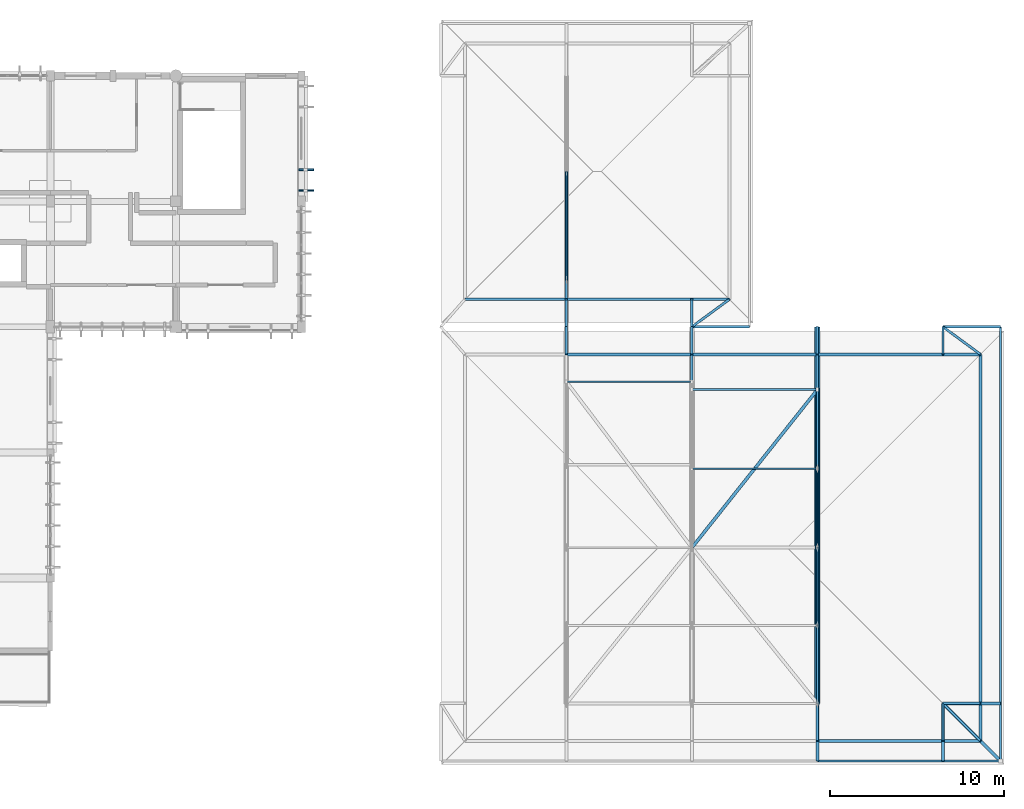
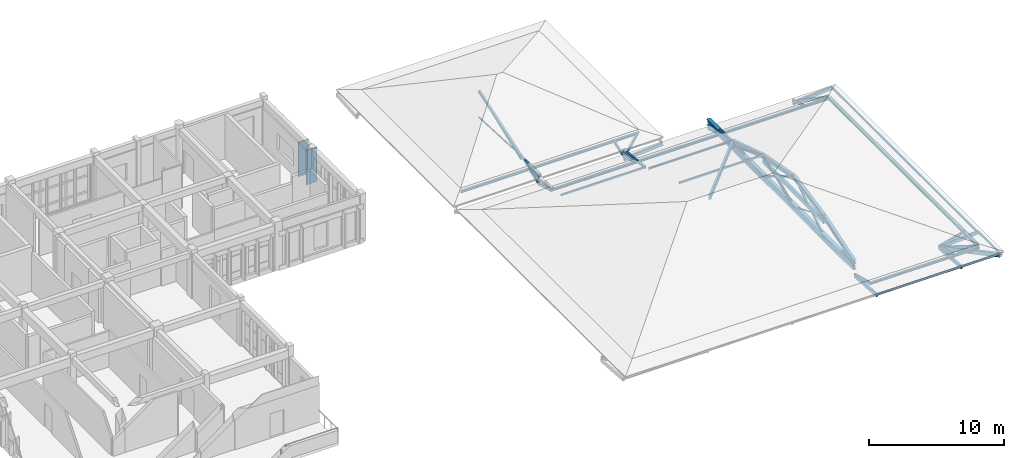
# One storey, part 8 of 19: 58 members, 1 beam.
"""IFC4 building model written with IfcOpenShell, lengths in metres."""

from ifc_helpers import new_model, si_unit, direction, frame, origin, origin_2d, place, context, subcontext, project, spatial, rectangle, hollow_rectangle, hollow_circle, i_section, extrude, material, material_profile, profile_set, type_object, element, save


model = new_model("IFC4")

# Units and contexts
model_context = context("Model", 3, precision=1e-05, world=origin(), true_north=direction((0.0, 1.0)))
body_context = subcontext(model_context, "Body", "Model", "MODEL_VIEW")
ifc_project = project(units=[si_unit("LENGTHUNIT", "METRE"), si_unit("AREAUNIT", "SQUARE_METRE"), si_unit("VOLUMEUNIT", "CUBIC_METRE"), si_unit("PLANEANGLEUNIT", "RADIAN"), si_unit("MASSUNIT", "GRAM", prefix="KILO")], contexts=[model_context])

# Site, building, storey
site_placement = place(None, origin())
site = spatial("IfcSite", under=ifc_project, at=site_placement, CompositionType="ELEMENT")
building_placement = place(site_placement, origin())
building = spatial("IfcBuilding", under=site, at=building_placement, Name="Steenspoor Specialist Clinic", CompositionType="ELEMENT")
storey_placement = place(building_placement, frame((0.0, 0.0, 21.60009765625)))
storey = spatial("IfcBuildingStorey", under=building, at=storey_placement, Name="L05", CompositionType="ELEMENT", Elevation=21.60009765625)

# Beam
ifc_material_1 = material(Name="Steel A992 Grade 50", Category="steel")
ifc_material_profile_1 = material_profile(ifc_material_1, i_section(OverallWidth=0.31201171875, OverallDepth=0.54296875, WebThickness=0.0126953125, FlangeThickness=0.020263671875, at=origin_2d()), Name="W530X150")
ifc_profile_set_1 = profile_set([ifc_material_profile_1], Name="Steel A992 Grade 50")
beam_type = type_object("IfcBeamType", Name="BM-ST-W530X150", PredefinedType="BEAM", material=ifc_profile_set_1)
beam_placement = place(storey_placement, frame((139.60009765625, 72.35009765625, 0.29150390625), z_axis=(0.0, 1.0, 0.0), x_axis=(-1.0, 0.0, 0.0)))
element("IfcBeam", 1, at=beam_placement, inside=storey, type_object=beam_type, Name="ROOF TRUSS Bottom Tie Chord V6 4", PredefinedType="BEAM", context=body_context, shape_type="SweptSolid", body=[
    extrude(i_section(OverallWidth=0.31201171875, OverallDepth=0.54296875, WebThickness=0.0126953125, FlangeThickness=0.020263671875, at=origin_2d()), origin(), (0.0, 0.0, 1.0), 21.599853515625),
])

# Members
ifc_material_2 = material(Name="Steel A500 Grade C", Category="steel")
ifc_material_profile_2 = material_profile(ifc_material_2, hollow_circle(Radius=0.084228515625, WallThickness=0.007080078125, at=origin_2d()), Name="CHS168X7.1")
ifc_profile_set_2 = profile_set([ifc_material_profile_2], Name="Steel A500 Grade C")
member_type_1 = type_object("IfcMemberType", Name="MEM-BRACE-CHS168", PredefinedType="BRACE", material=ifc_profile_set_2)
member_1_placement = place(storey_placement, frame((139.60009765625, 81.284912109375, 3.0068359375), z_axis=(0.0, 0.857839286243, -0.513918046948), x_axis=(-1.0, 0.0, 0.0)))
element("IfcMember", 2, at=member_1_placement, inside=storey, type_object=member_type_1, Name="ROOF TRUSS Web Brace V6 4.3", PredefinedType="BRACE", context=body_context, shape_type="SweptSolid", body=[
    extrude(hollow_circle(Radius=0.084228515625, WallThickness=0.007080078125, at=origin_2d()), origin(), (0.0, 0.0, 1.0), 5.28369140625),
])
ifc_material_profile_3 = material_profile(ifc_material_2, hollow_rectangle(XDim=0.126953125, YDim=0.126953125, WallThickness=0.0087890625, at=origin_2d()), Name="HSS127X127X9.5")
ifc_profile_set_3 = profile_set([ifc_material_profile_3], Name="Steel A500 Grade C")
member_type_2 = type_object("IfcMemberType", Name="MEM-BRACE-H127A", PredefinedType="BRACE", material=ifc_profile_set_3)
member_2_placement = place(storey_placement, frame((139.60009765625, 72.35009765625, 0.29150390625), z_axis=(0.0, 0.924864314732, 0.380297251287), x_axis=(-1.0, 0.0, 0.0)))
element("IfcMember", 3, at=member_2_placement, inside=storey, type_object=member_type_2, Name="ROOF TRUSS Web Brace V6 4.1", PredefinedType="BRACE", context=body_context, shape_type="SweptSolid", body=[
    extrude(hollow_rectangle(XDim=0.126953125, YDim=0.126953125, WallThickness=0.0087890625, at=origin_2d()), origin(), (0.0, 0.0, 1.0), 4.830322265625),
])
ifc_material_profile_4 = material_profile(ifc_material_2, hollow_rectangle(XDim=0.126953125, YDim=0.126953125, WallThickness=0.005859375, at=origin_2d()), Name="HSS127X127X6.4")
ifc_profile_set_4 = profile_set([ifc_material_profile_4], Name="Steel A500 Grade C")
member_type_3 = type_object("IfcMemberType", Name="MEM-BRACE-H127B", PredefinedType="BRACE", material=ifc_profile_set_4)
member_3_placement = place(storey_placement, frame((139.60009765625, 76.8173828125, 0.29150390625), z_axis=(0.0, 0.854541042558, 0.519383872087), x_axis=(-1.0, 0.0, 0.0)))
element("IfcMember", 4, at=member_3_placement, inside=storey, type_object=member_type_3, Name="ROOF TRUSS Web Brace V6 4.2", PredefinedType="BRACE", context=body_context, shape_type="SweptSolid", body=[
    extrude(hollow_rectangle(XDim=0.126953125, YDim=0.126953125, WallThickness=0.005859375, at=origin_2d()), origin(), (0.0, 0.0, 1.0), 5.22802734375),
])
member_4_placement = place(storey_placement, frame((125.199951171875, 96.64990234375, 0.2998046875), z_axis=(0.0, 0.934083151496, 0.357055550427), x_axis=(-1.0, 0.0, 0.0)))
element("IfcMember", 5, at=member_4_placement, inside=storey, type_object=member_type_3, Name="ROOF TRUSS Web Brace V6N 2.1", PredefinedType="BRACE", context=body_context, shape_type="SweptSolid", body=[
    extrude(hollow_rectangle(XDim=0.126953125, YDim=0.126953125, WallThickness=0.005859375, at=origin_2d()), origin(), (0.0, 0.0, 1.0), 6.653564453125),
])
ifc_material_profile_5 = material_profile(ifc_material_2, hollow_rectangle(XDim=0.15234375, YDim=0.15234375, WallThickness=0.0087890625, at=origin_2d()), Name="HSS152X152X9.5")
ifc_profile_set_5 = profile_set([ifc_material_profile_5], Name="Steel A500 Grade C")
member_type_4 = type_object("IfcMemberType", Name="MEM-BRACE-H152", PredefinedType="BRACE", material=ifc_profile_set_5)
member_5_placement = place(storey_placement, frame((139.60009765625, 85.8173828125, 2.107421875), z_axis=(0.0, 0.928276561313, -0.371890609881), x_axis=(-1.0, 0.0, 0.0)))
element("IfcMember", 6, at=member_5_placement, inside=storey, type_object=member_type_4, Name="ROOF TRUSS Web Brace V6 4.4", PredefinedType="BRACE", context=body_context, shape_type="SweptSolid", body=[
    extrude(hollow_rectangle(XDim=0.15234375, YDim=0.15234375, WallThickness=0.0087890625, at=origin_2d()), origin(), (0.0, 0.0, 1.0), 4.883056640625),
])
ifc_material_profile_6 = material_profile(ifc_material_2, hollow_rectangle(XDim=0.177734375, YDim=0.177734375, WallThickness=0.0087890625, at=origin_2d()), Name="HSS178X178X9.5")
ifc_profile_set_6 = profile_set([ifc_material_profile_6], Name="Steel A500 Grade C")
member_type_5 = type_object("IfcMemberType", Name="MEM-CHORD-H178", PredefinedType="CHORD", material=ifc_profile_set_6)
member_6_placement = place(storey_placement, frame((125.199951171875, 96.64990234375, 0.58447265625), z_axis=(0.0, 0.947793472176, 0.318884828895), x_axis=(-1.0, 0.0, 0.0)))
element("IfcMember", 7, at=member_6_placement, inside=storey, type_object=member_type_5, Name="ROOF TRUSS Top Chord V6N 2.1", PredefinedType="CHORD", context=body_context, shape_type="SweptSolid", body=[
    extrude(hollow_rectangle(XDim=0.177734375, YDim=0.177734375, WallThickness=0.0087890625, at=origin_2d()), origin(), (0.0, 0.0, 1.0), 6.557373046875),
])
ifc_material_profile_7 = material_profile(ifc_material_1, i_section(OverallWidth=0.257080078125, OverallDepth=0.363037109375, WebThickness=0.012939453125, FlangeThickness=0.021728515625, at=origin_2d()), Name="W360X122")
ifc_profile_set_7 = profile_set([ifc_material_profile_7], Name="Steel A992 Grade 50")
member_type_6 = type_object("IfcMemberType", Name="MEM-CHORD-W360", PredefinedType="CHORD", material=ifc_profile_set_7)
member_7_placement = place(storey_placement, frame((139.60009765625, 72.35009765625, 0.6923828125), z_axis=(0.0, 0.952020982248, 0.306032758639), x_axis=(-1.0, 0.0, 0.0)))
element("IfcMember", 8, at=member_7_placement, inside=storey, type_object=member_type_6, Name="ROOF TRUSS Top Chord V6 4.1", PredefinedType="CHORD", context=body_context, shape_type="SweptSolid", body=[
    extrude(i_section(OverallWidth=0.257080078125, OverallDepth=0.363037109375, WebThickness=0.012939453125, FlangeThickness=0.021728515625, at=origin_2d()), origin(), (0.0, 0.0, 1.0), 4.6923828125),
])
member_8_placement = place(storey_placement, frame((139.60009765625, 76.8173828125, 2.12841796875), z_axis=(0.0, 0.981212765108, 0.192928768176), x_axis=(-1.0, 0.0, 0.0)))
element("IfcMember", 9, at=member_8_placement, inside=storey, type_object=member_type_6, Name="ROOF TRUSS Top Chord V6 4.2", PredefinedType="CHORD", context=body_context, shape_type="SweptSolid", body=[
    extrude(i_section(OverallWidth=0.257080078125, OverallDepth=0.363037109375, WebThickness=0.012939453125, FlangeThickness=0.021728515625, at=origin_2d()), origin(), (0.0, 0.0, 1.0), 4.552978515625),
])
member_9_placement = place(storey_placement, frame((139.60009765625, 81.284912109375, 3.0068359375), z_axis=(0.0, 0.980874223394, -0.194642641475), x_axis=(-1.0, 0.0, 0.0)))
element("IfcMember", 10, at=member_9_placement, inside=storey, type_object=member_type_6, Name="ROOF TRUSS Top Chord V6 4.3", PredefinedType="CHORD", context=body_context, shape_type="SweptSolid", body=[
    extrude(i_section(OverallWidth=0.257080078125, OverallDepth=0.363037109375, WebThickness=0.012939453125, FlangeThickness=0.021728515625, at=origin_2d()), origin(), (0.0, 0.0, 1.0), 4.620849609375),
])
member_10_placement = place(storey_placement, frame((139.60009765625, 85.8173828125, 2.107421875), z_axis=(0.0, 0.95202322588, -0.306025778954), x_axis=(-1.0, 0.0, 0.0)))
element("IfcMember", 11, at=member_10_placement, inside=storey, type_object=member_type_6, Name="ROOF TRUSS Top Chord V6 4.4", PredefinedType="CHORD", context=body_context, shape_type="SweptSolid", body=[
    extrude(i_section(OverallWidth=0.257080078125, OverallDepth=0.363037109375, WebThickness=0.012939453125, FlangeThickness=0.021728515625, at=origin_2d()), origin(), (0.0, 0.0, 1.0), 4.76123046875),
])
ifc_material_profile_8 = material_profile(ifc_material_2, hollow_rectangle(XDim=0.1015625, YDim=0.15234375, WallThickness=0.005859375, at=origin_2d()), Name="HSS152X102X6.4")
ifc_profile_set_8 = profile_set([ifc_material_profile_8], Name="Steel A500 Grade C")
member_type_7 = type_object("IfcMemberType", Name="MEM-PURLIN-H152", PredefinedType="PURLIN", material=ifc_profile_set_8)
member_11_placement = place(storey_placement, frame((139.60009765625, 69.050048828125, -0.195068359375), z_axis=(1.0, 0.0, 0.0), x_axis=(0.0, 1.0, 0.0)))
element("IfcMember", 12, at=member_11_placement, inside=storey, type_object=member_type_7, Name="ROOF TRUSS Eave Fascia 519", PredefinedType="PURLIN", context=body_context, shape_type="SweptSolid", body=[
    extrude(hollow_rectangle(XDim=0.1015625, YDim=0.15234375, WallThickness=0.005859375, at=origin_2d()), origin(), (0.0, 0.0, 1.0), 7.199951171875),
])
for number, where, z_axis, x_axis, name in (
    (13, (146.800048828125, 69.050048828125, -0.195068359375), (1.0, 0.0, 0.0), (0.0, 1.0, 0.0), "ROOF TRUSS Eave Fascia 520"),
    (14, (150.10009765625, 69.050048828125, -0.195068359375), (0.0, 1.0, 0.0), (-1.0, 0.0, 0.0), "ROOF TRUSS Eave Fascia 521"),
):
    element("IfcMember", number, at=place(storey_placement, frame(where, z_axis=z_axis, x_axis=x_axis)), inside=storey, type_object=member_type_7, Name=name, PredefinedType="PURLIN", context=body_context, shape_type="SweptSolid", body=[
        extrude(hollow_rectangle(XDim=0.1015625, YDim=0.15234375, WallThickness=0.005859375, at=origin_2d()), origin(), (0.0, 0.0, 1.0), 3.300048828125),
    ])
member_12_placement = place(storey_placement, frame((150.10009765625, 72.35009765625, -0.293212890625), z_axis=(0.0, 1.0, 0.0), x_axis=(-1.0, 0.0, 0.0)))
element("IfcMember", 15, at=member_12_placement, inside=storey, type_object=member_type_7, Name="ROOF TRUSS Eave Fascia 522", PredefinedType="PURLIN", context=body_context, shape_type="SweptSolid", body=[
    extrude(hollow_rectangle(XDim=0.1015625, YDim=0.15234375, WallThickness=0.005859375, at=origin_2d()), origin(), (0.0, 0.0, 1.0), 21.599853515625),
])
member_13_placement = place(storey_placement, frame((125.199951171875, 90.800048828125, 0.602294921875), z_axis=(1.0, 0.0, 0.0), x_axis=(0.0, 1.0, 0.0)))
element("IfcMember", 16, at=member_13_placement, inside=storey, type_object=member_type_7, Name="ROOF TRUSS Purlin 541", PredefinedType="PURLIN", context=body_context, shape_type="SweptSolid", body=[
    extrude(hollow_rectangle(XDim=0.1015625, YDim=0.15234375, WallThickness=0.005859375, at=origin_2d()), origin(), (0.0, 0.0, 1.0), 7.199951171875),
])
member_14_placement = place(storey_placement, frame((132.39990234375, 85.8173828125, 2.2041015625), z_axis=(1.0, 0.0, 0.0), x_axis=(0.0, 1.0, 0.0)))
element("IfcMember", 17, at=member_14_placement, inside=storey, type_object=member_type_7, Name="ROOF TRUSS Purlin 545", PredefinedType="PURLIN", context=body_context, shape_type="SweptSolid", body=[
    extrude(hollow_rectangle(XDim=0.1015625, YDim=0.15234375, WallThickness=0.005859375, at=origin_2d()), origin(), (0.0, 0.0, 1.0), 7.2001953125),
])
ifc_material_profile_9 = material_profile(ifc_material_1, i_section(OverallWidth=0.10205078125, OverallDepth=0.159912109375, WebThickness=0.006591796875, FlangeThickness=0.01025390625, at=origin_2d()), Name="W150X24")
ifc_profile_set_9 = profile_set([ifc_material_profile_9], Name="Steel A992 Grade 50")
member_type_8 = type_object("IfcMemberType", Name="MEM-PURLIN-W150", PredefinedType="PURLIN", material=ifc_profile_set_9)
member_15_placement = place(storey_placement, frame((132.39990234375, 90.35009765625, 0.743408203125), z_axis=(1.0, 0.0, 0.0), x_axis=(0.0, 1.0, 0.0)))
element("IfcMember", 18, at=member_15_placement, inside=storey, type_object=member_type_8, Name="ROOF TRUSS Purlin 546", PredefinedType="PURLIN", context=body_context, shape_type="SweptSolid", body=[
    extrude(i_section(OverallWidth=0.10205078125, OverallDepth=0.159912109375, WebThickness=0.006591796875, FlangeThickness=0.01025390625, at=origin_2d()), origin(), (0.0, 0.0, 1.0), 7.2001953125),
])
ifc_material_profile_10 = material_profile(ifc_material_1, i_section(OverallWidth=0.1650390625, OverallDepth=0.200927734375, WebThickness=0.006103515625, FlangeThickness=0.01025390625, at=origin_2d()), Name="W200X36")
ifc_profile_set_10 = profile_set([ifc_material_profile_10], Name="Steel A992 Grade 50")
member_type_9 = type_object("IfcMemberType", Name="MEM-PURLIN-W200", PredefinedType="PURLIN", material=ifc_profile_set_10)
member_16_placement = place(storey_placement, frame((125.199951171875, 92.3701171875, 0.075439453125), z_axis=(1.0, 0.0, 0.0), x_axis=(0.0, 1.0, 0.0)))
element("IfcMember", 19, at=member_16_placement, inside=storey, type_object=member_type_9, Name="ROOF TRUSS Knuckle Purlin 526", PredefinedType="PURLIN", context=body_context, shape_type="SweptSolid", body=[
    extrude(i_section(OverallWidth=0.1650390625, OverallDepth=0.200927734375, WebThickness=0.006103515625, FlangeThickness=0.01025390625, at=origin_2d()), origin(), (0.0, 0.0, 1.0), 7.199951171875),
])
member_17_placement = place(storey_placement, frame((132.39990234375, 92.3701171875, 0.075439453125), z_axis=(1.0, 0.0, 0.0), x_axis=(0.0, 1.0, 0.0)))
element("IfcMember", 20, at=member_17_placement, inside=storey, type_object=member_type_9, Name="ROOF TRUSS Knuckle Purlin 528", PredefinedType="PURLIN", context=body_context, shape_type="SweptSolid", body=[
    extrude(i_section(OverallWidth=0.1650390625, OverallDepth=0.200927734375, WebThickness=0.006103515625, FlangeThickness=0.01025390625, at=origin_2d()), origin(), (0.0, 0.0, 1.0), 7.2001953125),
])
for number, where, z_axis, x_axis, name in (
    (21, (139.60009765625, 70.199951171875, 0.075439453125), (1.0, 0.0, 0.0), (0.0, 1.0, 0.0), "ROOF TRUSS Knuckle Purlin 529"),
    (22, (139.60009765625, 92.3701171875, 0.075439453125), (1.0, 0.0, 0.0), (0.0, 1.0, 0.0), "ROOF TRUSS Knuckle Purlin 530"),
):
    element("IfcMember", number, at=place(storey_placement, frame(where, z_axis=z_axis, x_axis=x_axis)), inside=storey, type_object=member_type_9, Name=name, PredefinedType="PURLIN", context=body_context, shape_type="SweptSolid", body=[
        extrude(i_section(OverallWidth=0.1650390625, OverallDepth=0.200927734375, WebThickness=0.006103515625, FlangeThickness=0.01025390625, at=origin_2d()), origin(), (0.0, 0.0, 1.0), 7.199951171875),
    ])
for number, where, z_axis, x_axis, name in (
    (23, (146.800048828125, 70.199951171875, 0.075439453125), (1.0, 0.0, 0.0), (0.0, 1.0, 0.0), "ROOF TRUSS Knuckle Purlin 531"),
    (24, (146.800048828125, 92.3701171875, 0.075439453125), (1.0, 0.0, 0.0), (0.0, 1.0, 0.0), "ROOF TRUSS Knuckle Purlin 532"),
):
    element("IfcMember", number, at=place(storey_placement, frame(where, z_axis=z_axis, x_axis=x_axis)), inside=storey, type_object=member_type_9, Name=name, PredefinedType="PURLIN", context=body_context, shape_type="SweptSolid", body=[
        extrude(i_section(OverallWidth=0.1650390625, OverallDepth=0.200927734375, WebThickness=0.006103515625, FlangeThickness=0.01025390625, at=origin_2d()), origin(), (0.0, 0.0, 1.0), 2.14990234375),
    ])
member_18_placement = place(storey_placement, frame((148.949951171875, 70.199951171875, 0.075439453125), z_axis=(0.0, 1.0, 0.0), x_axis=(-1.0, 0.0, 0.0)))
element("IfcMember", 25, at=member_18_placement, inside=storey, type_object=member_type_9, Name="ROOF TRUSS Knuckle Purlin 535", PredefinedType="PURLIN", context=body_context, shape_type="SweptSolid", body=[
    extrude(i_section(OverallWidth=0.1650390625, OverallDepth=0.200927734375, WebThickness=0.006103515625, FlangeThickness=0.01025390625, at=origin_2d()), origin(), (0.0, 0.0, 1.0), 2.150146484375),
])
member_19_placement = place(storey_placement, frame((148.949951171875, 72.35009765625, 0.075439453125), z_axis=(0.0, 1.0, 0.0), x_axis=(-1.0, 0.0, 0.0)))
element("IfcMember", 26, at=member_19_placement, inside=storey, type_object=member_type_9, Name="ROOF TRUSS Knuckle Purlin 536", PredefinedType="PURLIN", context=body_context, shape_type="SweptSolid", body=[
    extrude(i_section(OverallWidth=0.1650390625, OverallDepth=0.200927734375, WebThickness=0.006103515625, FlangeThickness=0.01025390625, at=origin_2d()), origin(), (0.0, 0.0, 1.0), 20.02001953125),
])
member_20_placement = place(storey_placement, frame((119.3798828125, 95.530029296875, 0.06884765625), z_axis=(1.0, 0.0, 0.0), x_axis=(0.0, 1.0, 0.0)))
element("IfcMember", 27, at=member_20_placement, inside=storey, type_object=member_type_9, Name="ROOF TRUSS Knuckle Purlin 556", PredefinedType="PURLIN", context=body_context, shape_type="SweptSolid", body=[
    extrude(i_section(OverallWidth=0.1650390625, OverallDepth=0.200927734375, WebThickness=0.006103515625, FlangeThickness=0.01025390625, at=origin_2d()), origin(), (0.0, 0.0, 1.0), 5.820068359375),
])
member_21_placement = place(storey_placement, frame((125.199951171875, 95.530029296875, 0.06884765625), z_axis=(1.0, 0.0, 0.0), x_axis=(0.0, 1.0, 0.0)))
element("IfcMember", 28, at=member_21_placement, inside=storey, type_object=member_type_9, Name="ROOF TRUSS Knuckle Purlin 558", PredefinedType="PURLIN", context=body_context, shape_type="SweptSolid", body=[
    extrude(i_section(OverallWidth=0.1650390625, OverallDepth=0.200927734375, WebThickness=0.006103515625, FlangeThickness=0.01025390625, at=origin_2d()), origin(), (0.0, 0.0, 1.0), 7.199951171875),
])
member_22_placement = place(storey_placement, frame((132.39990234375, 95.530029296875, 0.06884765625), z_axis=(1.0, 0.0, 0.0), x_axis=(0.0, 1.0, 0.0)))
element("IfcMember", 29, at=member_22_placement, inside=storey, type_object=member_type_9, Name="ROOF TRUSS Knuckle Purlin 560", PredefinedType="PURLIN", context=body_context, shape_type="SweptSolid", body=[
    extrude(i_section(OverallWidth=0.1650390625, OverallDepth=0.200927734375, WebThickness=0.006103515625, FlangeThickness=0.01025390625, at=origin_2d()), origin(), (0.0, 0.0, 1.0), 2.150146484375),
])
ifc_material_3 = material(Name="Glulam GL28h", Category="wood")
ifc_material_profile_11 = material_profile(ifc_material_3, rectangle(XDim=0.139892578125, YDim=0.219970703125, at=origin_2d()), Name="GL28H-140X220")
ifc_profile_set_11 = profile_set([ifc_material_profile_11], Name="Glulam GL28h")
member_type_10 = type_object("IfcMemberType", Name="MEM-RAFTER-GL220", PredefinedType="RAFTER", material=ifc_profile_set_11)
for number, where, z_axis, x_axis, name in (
    (30, (125.199951171875, 93.949951171875, -0.32470703125), (0.0, -0.95317886964, 0.302407080725), (1.0, 0.0, 0.0), "ROOF TRUSS Knuckle Rafter V6 354"),
    (31, (132.39990234375, 93.949951171875, -0.32470703125), (0.0, -0.95317886964, 0.302407080725), (1.0, 0.0, 0.0), "ROOF TRUSS Knuckle Rafter V6 357"),
):
    element("IfcMember", number, at=place(storey_placement, frame(where, z_axis=z_axis, x_axis=x_axis)), inside=storey, type_object=member_type_10, Name=name, PredefinedType="RAFTER", context=body_context, shape_type="SweptSolid", body=[
        extrude(rectangle(XDim=0.139892578125, YDim=0.219970703125, at=origin_2d()), origin(), (0.0, 0.0, 1.0), 1.657470703125),
    ])
member_23_placement = place(storey_placement, frame((139.60009765625, 72.35009765625, -0.397705078125), z_axis=(0.0, -0.966140194325, 0.258017683326), x_axis=(1.0, 0.0, 0.0)))
element("IfcMember", 32, at=member_23_placement, inside=storey, type_object=member_type_10, Name="ROOF TRUSS Knuckle Rafter V6 359", PredefinedType="RAFTER", context=body_context, shape_type="SweptSolid", body=[
    extrude(rectangle(XDim=0.139892578125, YDim=0.219970703125, at=origin_2d()), origin(), (0.0, 0.0, 1.0), 2.2255859375),
])
member_24_placement = place(storey_placement, frame((139.60009765625, 93.949951171875, -0.32470703125), z_axis=(0.0, -0.95317886964, 0.302407080725), x_axis=(1.0, 0.0, 0.0)))
element("IfcMember", 33, at=member_24_placement, inside=storey, type_object=member_type_10, Name="ROOF TRUSS Knuckle Rafter V6 360", PredefinedType="RAFTER", context=body_context, shape_type="SweptSolid", body=[
    extrude(rectangle(XDim=0.139892578125, YDim=0.219970703125, at=origin_2d()), origin(), (0.0, 0.0, 1.0), 1.657470703125),
])
member_25_placement = place(storey_placement, frame((146.800048828125, 72.35009765625, -0.397705078125), z_axis=(0.0, -0.966140194325, 0.258017683326), x_axis=(1.0, 0.0, 0.0)))
element("IfcMember", 34, at=member_25_placement, inside=storey, type_object=member_type_10, Name="ROOF TRUSS Knuckle Rafter V6 362", PredefinedType="RAFTER", context=body_context, shape_type="SweptSolid", body=[
    extrude(rectangle(XDim=0.139892578125, YDim=0.219970703125, at=origin_2d()), origin(), (0.0, 0.0, 1.0), 2.2255859375),
])
member_26_placement = place(storey_placement, frame((146.800048828125, 93.949951171875, -0.32470703125), z_axis=(0.0, -0.95317886964, 0.302407080725), x_axis=(1.0, 0.0, 0.0)))
element("IfcMember", 35, at=member_26_placement, inside=storey, type_object=member_type_10, Name="ROOF TRUSS Knuckle Rafter V6 363", PredefinedType="RAFTER", context=body_context, shape_type="SweptSolid", body=[
    extrude(rectangle(XDim=0.139892578125, YDim=0.219970703125, at=origin_2d()), origin(), (0.0, 0.0, 1.0), 1.657470703125),
])
member_27_placement = place(storey_placement, frame((146.800048828125, 72.35009765625, -0.397705078125), z_axis=(0.966132889999, 0.0, 0.258045032623), x_axis=(0.0, 1.0, 0.0)))
element("IfcMember", 36, at=member_27_placement, inside=storey, type_object=member_type_10, Name="ROOF TRUSS Knuckle Rafter V6 366", PredefinedType="RAFTER", context=body_context, shape_type="SweptSolid", body=[
    extrude(rectangle(XDim=0.139892578125, YDim=0.219970703125, at=origin_2d()), origin(), (0.0, 0.0, 1.0), 2.225341796875),
])
member_28_placement = place(storey_placement, frame((146.800048828125, 72.35009765625, -0.5), z_axis=(0.690189561111, -0.690267938304, 0.217183201662), x_axis=(0.707146926915, 0.707066633179, 0.0)))
element("IfcMember", 37, at=member_28_placement, inside=storey, type_object=member_type_10, Name="ROOF TRUSS Corner Knuckle Rafter V6 371", PredefinedType="RAFTER", context=body_context, shape_type="SweptSolid", body=[
    extrude(rectangle(XDim=0.139892578125, YDim=0.219970703125, at=origin_2d()), origin(), (0.0, 0.0, 1.0), 3.114990234375),
])
member_29_placement = place(storey_placement, frame((146.800048828125, 93.949951171875, -0.458251953125), z_axis=(0.783942698699, -0.576072360127, 0.231461618966), x_axis=(0.592152841193, 0.805825671387, 0.0)))
element("IfcMember", 38, at=member_29_placement, inside=storey, type_object=member_type_10, Name="ROOF TRUSS Corner Knuckle Rafter V6 372", PredefinedType="RAFTER", context=body_context, shape_type="SweptSolid", body=[
    extrude(rectangle(XDim=0.139892578125, YDim=0.219970703125, at=origin_2d()), origin(), (0.0, 0.0, 1.0), 2.742431640625),
])
member_30_placement = place(storey_placement, frame((132.39990234375, 93.949951171875, 0.173828125), z_axis=(0.0, -0.991717017913, 0.128442035106), x_axis=(1.0, 0.0, 0.0)))
element("IfcMember", 39, at=member_30_placement, inside=storey, type_object=member_type_10, Name="ROOF TRUSS Heel Strut V6 N 3", PredefinedType="RAFTER", context=body_context, shape_type="SweptSolid", body=[
    extrude(rectangle(XDim=0.139892578125, YDim=0.219970703125, at=origin_2d()), origin(), (0.0, 0.0, 1.0), 3.17626953125),
])
member_31_placement = place(storey_placement, frame((139.60009765625, 93.949951171875, 0.29150390625), z_axis=(0.0, -0.995067212383, 0.099203038467), x_axis=(1.0, 0.0, 0.0)))
element("IfcMember", 40, at=member_31_placement, inside=storey, type_object=member_type_10, Name="ROOF TRUSS Heel Strut V6 N 4", PredefinedType="RAFTER", context=body_context, shape_type="SweptSolid", body=[
    extrude(rectangle(XDim=0.139892578125, YDim=0.219970703125, at=origin_2d()), origin(), (0.0, 0.0, 1.0), 3.61767578125),
])
for number, where, z_axis, x_axis, name in (
    (41, (125.199951171875, 93.949951171875, -0.331298828125), (0.0, 0.952040804809, 0.305971086836), (-1.0, 0.0, 0.0), "ROOF TRUSS Knuckle Rafter V6N 374"),
    (42, (132.39990234375, 93.949951171875, -0.331298828125), (0.0, 0.952040804809, 0.305971086836), (-1.0, 0.0, 0.0), "ROOF TRUSS Knuckle Rafter V6N 377"),
):
    element("IfcMember", number, at=place(storey_placement, frame(where, z_axis=z_axis, x_axis=x_axis)), inside=storey, type_object=member_type_10, Name=name, PredefinedType="RAFTER", context=body_context, shape_type="SweptSolid", body=[
        extrude(rectangle(XDim=0.139892578125, YDim=0.219970703125, at=origin_2d()), origin(), (0.0, 0.0, 1.0), 1.65966796875),
    ])
member_32_placement = place(storey_placement, frame((132.39990234375, 93.949951171875, -0.46484375), z_axis=(0.783498873152, 0.575769808906, 0.233706317676), x_axis=(-0.592168595313, 0.805814094395, 0.0)))
element("IfcMember", 43, at=member_32_placement, inside=storey, type_object=member_type_10, Name="ROOF TRUSS Corner Knuckle Rafter V6N 386", PredefinedType="RAFTER", context=body_context, shape_type="SweptSolid", body=[
    extrude(rectangle(XDim=0.139892578125, YDim=0.219970703125, at=origin_2d()), origin(), (0.0, 0.0, 1.0), 2.744384765625),
])
member_33_placement = place(storey_placement, frame((125.199951171875, 93.949951171875, 0.2998046875), z_axis=(0.0, 0.994487699887, 0.104853301209), x_axis=(-1.0, 0.0, 0.0)))
element("IfcMember", 44, at=member_33_placement, inside=storey, type_object=member_type_10, Name="ROOF TRUSS Heel Strut V6N S 2", PredefinedType="RAFTER", context=body_context, shape_type="SweptSolid", body=[
    extrude(rectangle(XDim=0.139892578125, YDim=0.219970703125, at=origin_2d()), origin(), (0.0, 0.0, 1.0), 2.71484375),
])
ifc_material_profile_12 = material_profile(ifc_material_3, rectangle(XDim=0.159912109375, YDim=0.280029296875, at=origin_2d()), Name="GL28H-160X280")
ifc_profile_set_12 = profile_set([ifc_material_profile_12], Name="Glulam GL28h")
member_type_11 = type_object("IfcMemberType", Name="MEM-RAFTER-GL280", PredefinedType="RAFTER", material=ifc_profile_set_12)
for number, where, z_axis, x_axis, name in (
    (45, (139.60009765625, 72.35009765625, -0.5), (0.0, -0.997518653982, 0.070402663009), (1.0, 0.0, 0.0), "ROOF TRUSS Flared Eave Glulam Outrigger V6 358"),
    (46, (146.800048828125, 72.35009765625, -0.5), (0.0, -0.997518653982, 0.070402663009), (1.0, 0.0, 0.0), "ROOF TRUSS Flared Eave Glulam Outrigger V6 361"),
    (47, (146.800048828125, 72.35009765625, -0.5), (0.997518653982, 0.0, 0.070402663009), (0.0, 1.0, 0.0), "ROOF TRUSS Flared Eave Glulam Outrigger V6 365"),
    (48, (146.800048828125, 93.949951171875, -0.590087890625), (0.997513468668, 0.0, 0.070476093999), (0.0, 1.0, 0.0), "ROOF TRUSS Flared Eave Glulam Outrigger V6 367"),
    (49, (132.39990234375, 93.949951171875, -0.590087890625), (0.997513468668, 0.0, 0.070476093999), (0.0, 1.0, 0.0), "ROOF TRUSS Flared Eave Glulam Outrigger V6N 381"),
):
    element("IfcMember", number, at=place(storey_placement, frame(where, z_axis=z_axis, x_axis=x_axis)), inside=storey, type_object=member_type_11, Name=name, PredefinedType="RAFTER", context=body_context, shape_type="SweptSolid", body=[
        extrude(rectangle(XDim=0.159912109375, YDim=0.280029296875, at=origin_2d()), origin(), (0.0, 0.0, 1.0), 3.308349609375),
    ])
ifc_material_profile_13 = material_profile(ifc_material_3, rectangle(XDim=0.179931640625, YDim=0.360107421875, at=origin_2d()), Name="GL28H-180X360")
ifc_profile_set_13 = profile_set([ifc_material_profile_13], Name="Glulam GL28h")
member_type_12 = type_object("IfcMemberType", Name="MEM-RAFTER-GL360", PredefinedType="RAFTER", material=ifc_profile_set_13)
member_34_placement = place(storey_placement, frame((146.800048828125, 72.35009765625, -0.5), z_axis=(0.706511318105, -0.706511318105, 0.041030656559), x_axis=(0.707106781187, 0.707106781187, 0.0)))
element("IfcMember", 50, at=member_34_placement, inside=storey, type_object=member_type_12, Name="ROOF TRUSS Corner Hip Outrigger V6 370", PredefinedType="RAFTER", context=body_context, shape_type="SweptSolid", body=[
    extrude(rectangle(XDim=0.179931640625, YDim=0.360107421875, at=origin_2d()), origin(), (0.0, 0.0, 1.0), 4.6708984375),
])
member_35_placement = place(storey_placement, frame((139.60009765625, 76.8173828125, 1.648681640625), z_axis=(0.0, 1.0, 0.0), x_axis=(-1.0, 0.0, 0.0)))
element("IfcMember", 51, at=member_35_placement, inside=storey, type_object=member_type_12, Name="ROOF TRUSS Glulam Collar Rafter V6 4", PredefinedType="RAFTER", context=body_context, shape_type="SweptSolid", body=[
    extrude(rectangle(XDim=0.179931640625, YDim=0.360107421875, at=origin_2d()), origin(), (0.0, 0.0, 1.0), 9.0),
])
member_36_placement = place(storey_placement, frame((139.60009765625, 90.35009765625, 0.650390625), z_axis=(-0.602190800679, -0.758169897599, 0.250089275963), x_axis=(0.783053148837, -0.621954794255, 0.0)))
element("IfcMember", 52, at=member_36_placement, inside=storey, type_object=member_type_12, Name="ROOF TRUSS Hip Rafter V6 550", PredefinedType="RAFTER", context=body_context, shape_type="SweptSolid", body=[
    extrude(rectangle(XDim=0.179931640625, YDim=0.360107421875, at=origin_2d()), origin(), (0.0, 0.0, 1.0), 11.956787109375),
])
ifc_material_profile_14 = material_profile(ifc_material_3, rectangle(XDim=0.090087890625, YDim=0.85009765625, at=origin_2d()), Name="GL28H-90X850")
ifc_profile_set_14 = profile_set([ifc_material_profile_14], Name="Glulam GL28h")
member_type_13 = type_object("IfcMemberType", Name="MEM-SCREEN-GL850", PredefinedType="STRUT", material=ifc_profile_set_14)
for number, where, z_axis, x_axis, name in (
    (53, (110.280029296875, 102.96240234375, 0.27001953125), (0.0, 0.0, 1.0), (0.0, -1.0, 0.0), "Glulam Timber Screen Fin SCR-FIN-V4-L05-0140"),
    (54, (110.280029296875, 101.762451171875, 0.27001953125), (0.0, 0.0, 1.0), (0.0, -1.0, 0.0), "Glulam Timber Screen Fin SCR-FIN-V4-L05-0141"),
):
    element("IfcMember", number, at=place(storey_placement, frame(where, z_axis=z_axis, x_axis=x_axis)), inside=storey, type_object=member_type_13, Name=name, PredefinedType="STRUT", context=body_context, shape_type="SweptSolid", body=[
        extrude(rectangle(XDim=0.090087890625, YDim=0.85009765625, at=origin_2d()), origin(), (0.0, 0.0, 1.0), 3.099853515625),
    ])
ifc_material_profile_15 = material_profile(ifc_material_2, hollow_circle(Radius=0.05712890625, WallThickness=0.006103515625, at=origin_2d()), Name="CHS114X6.0")
ifc_profile_set_15 = profile_set([ifc_material_profile_15], Name="Steel A500 Grade C")
member_type_14 = type_object("IfcMemberType", Name="MEM-STRUT-CHS114", PredefinedType="STRUT", material=ifc_profile_set_15)
member_37_placement = place(storey_placement, frame((139.60009765625, 76.8173828125, 2.12841796875), z_axis=(0.0, 0.924871624276, -0.380279474346), x_axis=(-1.0, 0.0, 0.0)))
element("IfcMember", 55, at=member_37_placement, inside=storey, type_object=member_type_14, Name="ROOF TRUSS Web Strut V6 4.2", PredefinedType="STRUT", context=body_context, shape_type="SweptSolid", body=[
    extrude(hollow_circle(Radius=0.05712890625, WallThickness=0.006103515625, at=origin_2d()), origin(), (0.0, 0.0, 1.0), 4.830322265625),
])
member_38_placement = place(storey_placement, frame((125.199951171875, 96.64990234375, 0.58447265625), z_axis=(0.0, 0.998952702686, -0.045754757094), x_axis=(-1.0, 0.0, 0.0)))
element("IfcMember", 56, at=member_38_placement, inside=storey, type_object=member_type_14, Name="ROOF TRUSS Web Strut V6N 2.1", PredefinedType="STRUT", context=body_context, shape_type="SweptSolid", body=[
    extrude(hollow_circle(Radius=0.05712890625, WallThickness=0.006103515625, at=origin_2d()), origin(), (0.0, 0.0, 1.0), 6.2216796875),
])
ifc_material_profile_16 = material_profile(ifc_material_2, hollow_circle(Radius=0.109619140625, WallThickness=0.00830078125, at=origin_2d()), Name="CHS219X8.2")
ifc_profile_set_16 = profile_set([ifc_material_profile_16], Name="Steel A500 Grade C")
member_type_15 = type_object("IfcMemberType", Name="MEM-STRUT-CHS219", PredefinedType="STRUT", material=ifc_profile_set_16)
member_39_placement = place(storey_placement, frame((139.60009765625, 81.284912109375, 0.29150390625), z_axis=(0.0, 0.928269645875, 0.371907871048), x_axis=(-1.0, 0.0, 0.0)))
element("IfcMember", 57, at=member_39_placement, inside=storey, type_object=member_type_15, Name="ROOF TRUSS Web Strut V6 4.3", PredefinedType="STRUT", context=body_context, shape_type="SweptSolid", body=[
    extrude(hollow_circle(Radius=0.109619140625, WallThickness=0.00830078125, at=origin_2d()), origin(), (0.0, 0.0, 1.0), 4.8828125),
])
ifc_material_profile_17 = material_profile(ifc_material_2, hollow_rectangle(XDim=0.1015625, YDim=0.1015625, WallThickness=0.005859375, at=origin_2d()), Name="HSS102X102X6.4")
ifc_profile_set_17 = profile_set([ifc_material_profile_17], Name="Steel A500 Grade C")
member_type_16 = type_object("IfcMemberType", Name="MEM-STRUT-H102", PredefinedType="STRUT", material=ifc_profile_set_17)
member_40_placement = place(storey_placement, frame((139.60009765625, 72.35009765625, 0.6923828125), z_axis=(0.0, 0.995997827742, -0.089377441969), x_axis=(-1.0, 0.0, 0.0)))
element("IfcMember", 58, at=member_40_placement, inside=storey, type_object=member_type_16, Name="ROOF TRUSS Web Strut V6 4.1", PredefinedType="STRUT", context=body_context, shape_type="SweptSolid", body=[
    extrude(hollow_rectangle(XDim=0.1015625, YDim=0.1015625, WallThickness=0.005859375, at=origin_2d()), origin(), (0.0, 0.0, 1.0), 4.4853515625),
])
member_41_placement = place(storey_placement, frame((139.60009765625, 85.8173828125, 0.29150390625), z_axis=(0.0, 0.996880163155, 0.078929970906), x_axis=(-1.0, 0.0, 0.0)))
element("IfcMember", 59, at=member_41_placement, inside=storey, type_object=member_type_16, Name="ROOF TRUSS Web Strut V6 4.4", PredefinedType="STRUT", context=body_context, shape_type="SweptSolid", body=[
    extrude(hollow_rectangle(XDim=0.1015625, YDim=0.1015625, WallThickness=0.005859375, at=origin_2d()), origin(), (0.0, 0.0, 1.0), 4.546875),
])

save(model, "model.ifc")
